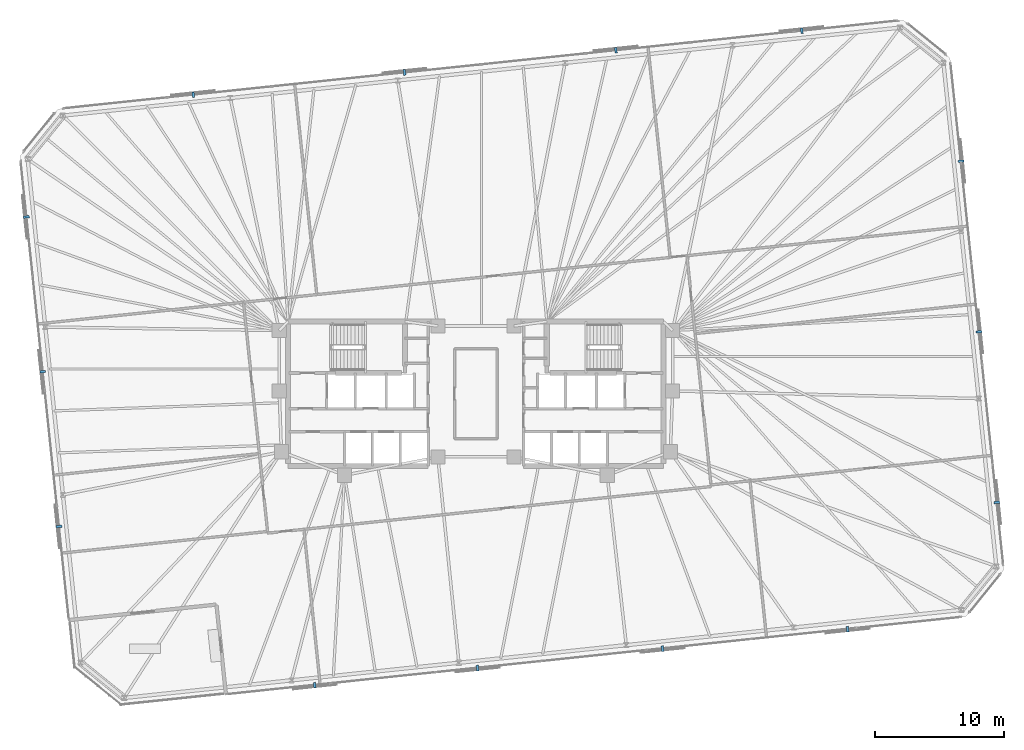
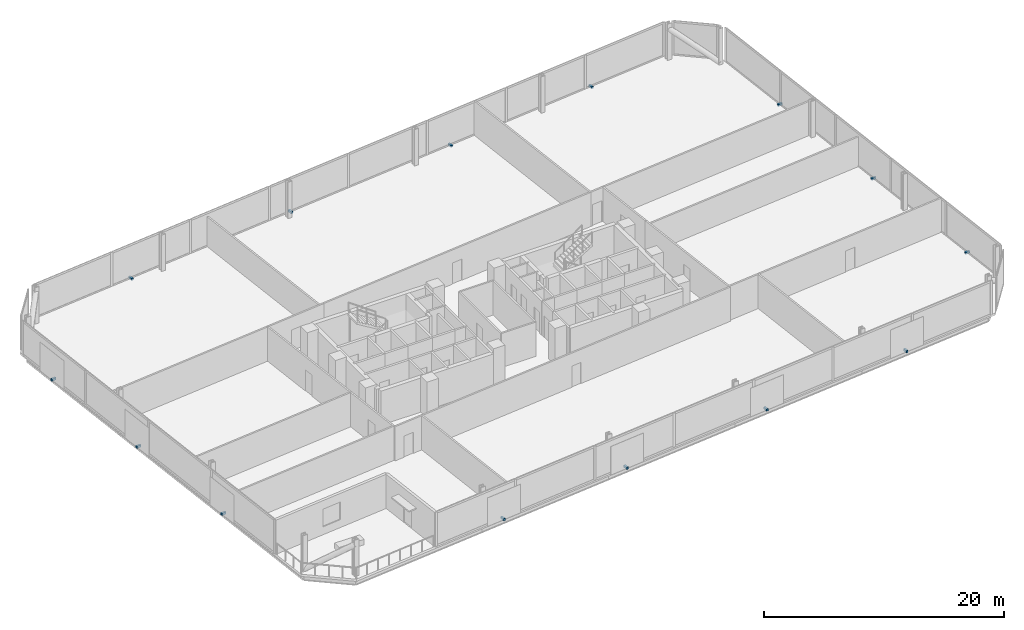
# One storey, part 17 of 18: 14 discrete accessories.
"""IFC4 building model written with IfcOpenShell, lengths in metres."""

import ifcopenshell
import ifcopenshell.guid

model = None  # the IFC model being written
_history = None  # IfcOwnerHistory: only IFC2X3 demands one
_inside = {}  # id of a spatial element -> (the spatial element, [elements in it])
_under = {}  # id of a project, library or spatial element -> (it, [spatial elements below it])
_declared = {}  # id of a project -> (the project, [libraries it declares])
_typed = {}  # id of a type object -> (the type object, [elements of that type])
_made_of = {}  # id of a material, layer set ... -> (it, [elements and type objects made of it])


def new_model(schema):
    """Start an empty IFC model of exactly this schema.

    Asked for "IFC4X3", IfcOpenShell would pick the latest addendum, in which some entities
    have other attributes; the version numbers below select the first issue.
    IFC2X3 requires an IfcOwnerHistory on every rooted entity: one is made here for all.
    """
    global model, _history
    if schema == "IFC4X3":
        model = ifcopenshell.file(schema_version=(4, 3, 0, 0))
    else:
        model = ifcopenshell.file(schema=schema)
    _inside.clear()
    _under.clear()
    _declared.clear()
    _typed.clear()
    _made_of.clear()
    _history = None
    if model.schema == "IFC2X3":
        org = make("IfcOrganization", Name="unknown")
        user = make(
            "IfcPersonAndOrganization",
            ThePerson=make("IfcPerson", FamilyName="unknown"),
            TheOrganization=org,
        )
        app = make(
            "IfcApplication",
            ApplicationDeveloper=org,
            Version="unknown",
            ApplicationFullName="unknown",
            ApplicationIdentifier="unknown",
        )
        _history = make(
            "IfcOwnerHistory",
            OwningUser=user,
            OwningApplication=app,
            ChangeAction="ADDED",
            CreationDate=0,
        )
    return model


def make(cls, **values):
    """One entity of the class cls with the attributes given. An attribute that is None is left unset."""
    return model.create_entity(
        cls, **{name: value for name, value in values.items() if value is not None}
    )


def rooted(cls, **values):
    """An entity with a GlobalId (a new one), such as an element, a storey or a relation."""
    return make(cls, GlobalId=ifcopenshell.guid.new(), OwnerHistory=_history, **values)


def si_unit(unit_type, name, prefix=None):
    """IfcSIUnit, for example si_unit("LENGTHUNIT", "METRE", prefix="MILLI")."""
    return make("IfcSIUnit", UnitType=unit_type, Prefix=prefix, Name=name)


def assignment(units):
    """IfcUnitAssignment: the units of a project."""
    return None if units is None else make("IfcUnitAssignment", Units=units)


def point(xyz):
    """IfcCartesianPoint."""
    return None if xyz is None else make("IfcCartesianPoint", Coordinates=xyz)


def direction(xyz):
    """IfcDirection."""
    return None if xyz is None else make("IfcDirection", DirectionRatios=xyz)


def frame(location, z_axis=None, x_axis=None):
    """IfcAxis2Placement3D, a coordinate frame: its origin and axes. An axis left out is left unset."""
    return make(
        "IfcAxis2Placement3D",
        Location=point(location),
        Axis=direction(z_axis),
        RefDirection=direction(x_axis),
    )


def frame_2d(location, x_axis=None):
    """IfcAxis2Placement2D, a coordinate frame in the plane: its origin and x axis."""
    return make(
        "IfcAxis2Placement2D", Location=point(location), RefDirection=direction(x_axis)
    )


def origin():
    """The frame at (0, 0, 0) with its axes left unset."""
    return frame((0.0, 0.0, 0.0))


def origin_2d():
    """The frame at (0, 0) in the plane with its x axis left unset."""
    return frame_2d((0.0, 0.0))


def place(relative_to, where):
    """IfcLocalPlacement: puts the frame where relative to a parent placement (None: the world)."""
    return make(
        "IfcLocalPlacement", PlacementRelTo=relative_to, RelativePlacement=where
    )


def context(
    kind, dimensions, precision=None, world=None, true_north=None, identifier=None
):
    """IfcGeometricRepresentationContext, for example the 3D "Model" context."""
    return make(
        "IfcGeometricRepresentationContext",
        ContextIdentifier=identifier,
        ContextType=kind,
        CoordinateSpaceDimension=dimensions,
        Precision=precision,
        WorldCoordinateSystem=world,
        TrueNorth=true_north,
    )


def subcontext(parent, identifier, kind, view, scale=None):
    """IfcGeometricRepresentationSubContext, for example "Body" below "Model"."""
    return make(
        "IfcGeometricRepresentationSubContext",
        ContextIdentifier=identifier,
        ContextType=kind,
        ParentContext=parent,
        TargetScale=scale,
        TargetView=view,
    )


def project(units=None, contexts=None):
    """IfcProject with its units and contexts."""
    return rooted(
        "IfcProject",
        Name="project",
        RepresentationContexts=contexts,
        UnitsInContext=assignment(units),
    )


def spatial(cls, under=None, at=None, **own):
    """A site, building, storey or space (cls), placed at a placement, below another one or the project."""
    s = rooted(cls, ObjectPlacement=at, **own)
    if under is not None:
        _under.setdefault(under.id(), (under, []))[1].append(s)
    return s


def profile(cls, at=None, kind="AREA", **sizes):
    """A parametric profile (cls). Its sizes go by their IFC names, for example OverallWidth=200.0."""
    return make(cls, ProfileType=kind, Position=at, **sizes)


def rectangle(**sizes):
    """IfcRectangleProfileDef."""
    return profile("IfcRectangleProfileDef", **sizes)


def extrude(swept, where, along, depth):
    """IfcExtrudedAreaSolid: the profile swept, set in the frame where, extruded along a direction by depth."""
    return make(
        "IfcExtrudedAreaSolid",
        SweptArea=swept,
        Position=where,
        ExtrudedDirection=direction(along),
        Depth=depth,
    )


def shape(context_of_items, identifier, shape_type, items):
    """IfcShapeRepresentation: the items that make up one representation, for example the "Body"."""
    return make(
        "IfcShapeRepresentation",
        ContextOfItems=context_of_items,
        RepresentationIdentifier=identifier,
        RepresentationType=shape_type,
        Items=items,
    )


def material(Name=None, Category=None):
    """IfcMaterial."""
    return make("IfcMaterial", Name=Name, Category=Category)


def made_of(thing, what):
    """Note that an element or type object is made of a material, layer set ...; save() writes the relation."""
    if what is not None:
        _made_of.setdefault(what.id(), (what, []))[1].append(thing)
    return thing


def type_object(cls, material=None, **own):
    """A type object (cls), such as IfcWallType, which elements share."""
    return made_of(rooted(cls, **own), material)


def element(
    cls,
    number,
    at=None,
    inside=None,
    cuts=None,
    type_object=None,
    material=None,
    context=None,
    identifier="Body",
    shape_type=None,
    held_by="IfcProductDefinitionShape",
    body=None,
    shapes=None,
    **own,
):
    """One element of the class cls, such as IfcWall. Its Tag is "e" and its number.

    at: its placement. inside: the storey or other place that contains it. cuts: it is an
    opening in that element (IfcRelVoidsElement). A single representation is given by context,
    identifier, shape_type and body (its items); several are given by shapes. held_by: the class
    of the entity that holds the representations. save() writes the other relations.
    """
    e = rooted(cls, Tag="e%d" % number, ObjectPlacement=at, **own)
    if body is not None:
        shapes = [shape(context, identifier, shape_type, body)]
    if shapes is not None:
        e.Representation = make(held_by, Representations=shapes)
    if inside is not None:
        _inside.setdefault(inside.id(), (inside, []))[1].append(e)
    if cuts is not None:
        rooted(
            "IfcRelVoidsElement", RelatingBuildingElement=cuts, RelatedOpeningElement=e
        )
    if type_object is not None:
        _typed.setdefault(type_object.id(), (type_object, []))[1].append(e)
    return made_of(e, material)


def aggregate(whole, parts):
    """IfcRelAggregates: a whole, such as a stair, and the parts it consists of."""
    return rooted("IfcRelAggregates", RelatingObject=whole, RelatedObjects=parts)


def save(model, path):
    """Write the relations noted so far, then the file.

    IfcRelAggregates (storeys below a building ...), IfcRelContainedInSpatialStructure (elements
    in a storey), IfcRelDefinesByType, IfcRelAssociatesMaterial and IfcRelDeclares: one each for
    every whole, place, type object, material and project.
    """
    for whole, parts in _under.values():
        aggregate(whole, parts)
    for where, things in _inside.values():
        rooted(
            "IfcRelContainedInSpatialStructure",
            RelatedElements=things,
            RelatingStructure=where,
        )
    for kind, things in _typed.values():
        rooted("IfcRelDefinesByType", RelatedObjects=things, RelatingType=kind)
    for what, things in _made_of.values():
        rooted("IfcRelAssociatesMaterial", RelatedObjects=things, RelatingMaterial=what)
    for by, libraries in _declared.values():
        rooted("IfcRelDeclares", RelatingContext=by, RelatedDefinitions=libraries)
    model.write(path)


model = new_model("IFC4")

# Units and contexts
model_context = context("Model", 3, precision=1e-05, world=origin(), true_north=direction((0.0, 1.0)))
body_context = subcontext(model_context, "Body", "Model", "MODEL_VIEW")
ifc_project = project(units=[si_unit("LENGTHUNIT", "METRE"), si_unit("AREAUNIT", "SQUARE_METRE"), si_unit("VOLUMEUNIT", "CUBIC_METRE"), si_unit("PLANEANGLEUNIT", "RADIAN"), si_unit("MASSUNIT", "GRAM", prefix="KILO")], contexts=[model_context])

# Site, building, storey
site_placement = place(None, origin())
site = spatial("IfcSite", under=ifc_project, at=site_placement, CompositionType="ELEMENT")
building_placement = place(site_placement, origin())
building = spatial("IfcBuilding", under=site, at=building_placement, Name="Menara Jurai Vektor", CompositionType="ELEMENT")
storey_placement = place(building_placement, frame((0.0, 0.0, 113.300048828125)))
storey = spatial("IfcBuildingStorey", under=building, at=storey_placement, Name="L28", CompositionType="ELEMENT", Elevation=113.300048828125)

# Discrete accessories
ifc_material = material(Name="Steel S355", Category="steel")
discrete_accessory_type = type_object("IfcDiscreteAccessoryType", Name="ENV-ACC-BRACKET", PredefinedType="BRACKET", material=ifc_material)
for number, where, z_axis, x_axis, name in (
    (1, (-12.4970703125, -22.595947265625, -0.1298828125), (0.0, 0.0, 1.0), (0.994521895368, 0.104528463268, 0.0), "Solar Screen Stand-Off Bracket L28-S01"),
    (2, (0.12744140625, -21.26904296875, -0.1298828125), (0.0, 0.0, 1.0), (0.994521895368, 0.104528463268, 0.0), "Solar Screen Stand-Off Bracket L28-S02"),
    (3, (14.473388671875, -19.76123046875, -0.1298828125), (0.0, 0.0, 1.0), (0.994521895368, 0.104528463268, 0.0), "Solar Screen Stand-Off Bracket L28-S03"),
    (4, (28.8193359375, -18.25341796875, -0.1298828125), (0.0, 0.0, 1.0), (0.994521895368, 0.104528463268, 0.0), "Solar Screen Stand-Off Bracket L28-S04"),
    (5, (40.397705078125, -8.42578125, -0.1298828125), (0.0, 0.0, 1.0), (-0.104528463268, 0.994521895368, 0.0), "Solar Screen Stand-Off Bracket L28-S05"),
    (6, (39.00732421875, 4.80126953125, -0.1298828125), (0.0, 0.0, 1.0), (-0.104528463268, 0.994521895368, 0.0), "Solar Screen Stand-Off Bracket L28-S06"),
    (7, (37.6171875, 18.028564453125, -0.1298828125), (0.0, 0.0, 1.0), (-0.104528463268, 0.994521895368, 0.0), "Solar Screen Stand-Off Bracket L28-S07"),
    (8, (25.2734375, 28.150146484375, -0.1298828125), (0.0, 0.0, 1.0), (-0.994521895368, -0.104528463268, 0.0), "Solar Screen Stand-Off Bracket L28-S08"),
    (9, (10.85498046875, 26.634765625, -0.1298828125), (0.0, 0.0, 1.0), (-0.994521895368, -0.104528463268, 0.0), "Solar Screen Stand-Off Bracket L28-S09"),
    (10, (-5.52978515625, 24.91259765625, -0.1298828125), (0.0, 0.0, 1.0), (-0.994521895368, -0.104528463268, 0.0), "Solar Screen Stand-Off Bracket L28-S10"),
    (11, (-21.91455078125, 23.1904296875, -0.1298828125), (0.0, 0.0, 1.0), (-0.994521895368, -0.104528463268, 0.0), "Solar Screen Stand-Off Bracket L28-S11"),
    (12, (-34.848388671875, 13.710205078125, -0.1298828125), (0.0, 0.0, 1.0), (0.104528463268, -0.994521895368, 0.0), "Solar Screen Stand-Off Bracket L28-S12"),
    (13, (-33.587158203125, 1.709716796875, -0.1298828125), (0.0, 0.0, 1.0), (0.104528463268, -0.994521895368, 0.0), "Solar Screen Stand-Off Bracket L28-S13"),
    (14, (-32.325927734375, -10.290771484375, -0.1298828125), (0.0, 0.0, 1.0), (0.104528463268, -0.994521895368, 0.0), "Solar Screen Stand-Off Bracket L28-S14"),
):
    element("IfcDiscreteAccessory", number, at=place(storey_placement, frame(where, z_axis=z_axis, x_axis=x_axis)), inside=storey, type_object=discrete_accessory_type, Name=name, PredefinedType="BRACKET", context=body_context, shape_type="SweptSolid", body=[
        extrude(rectangle(XDim=0.179931640625, YDim=0.43994140625, at=origin_2d()), origin(), (0.0, 0.0, 1.0), 0.219970703125),
    ])

save(model, "model.ifc")
